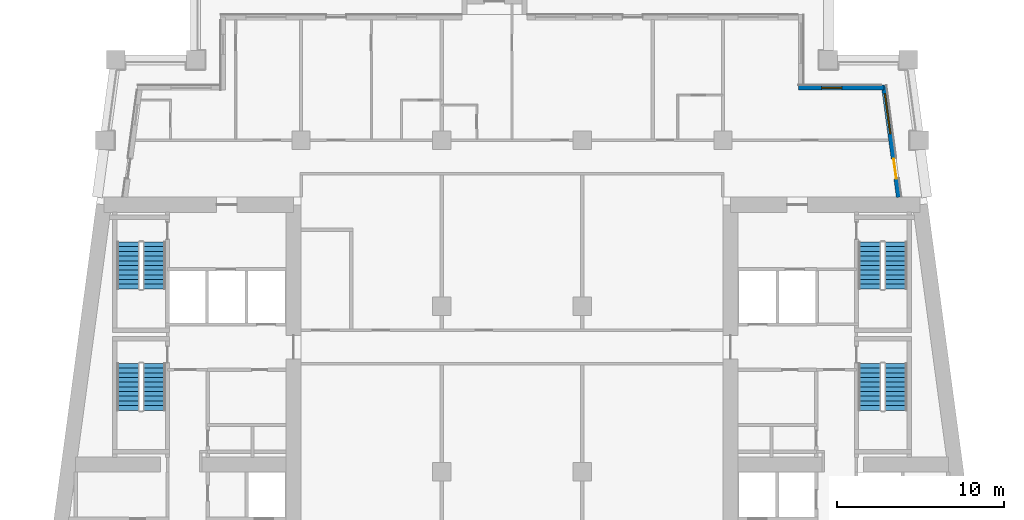
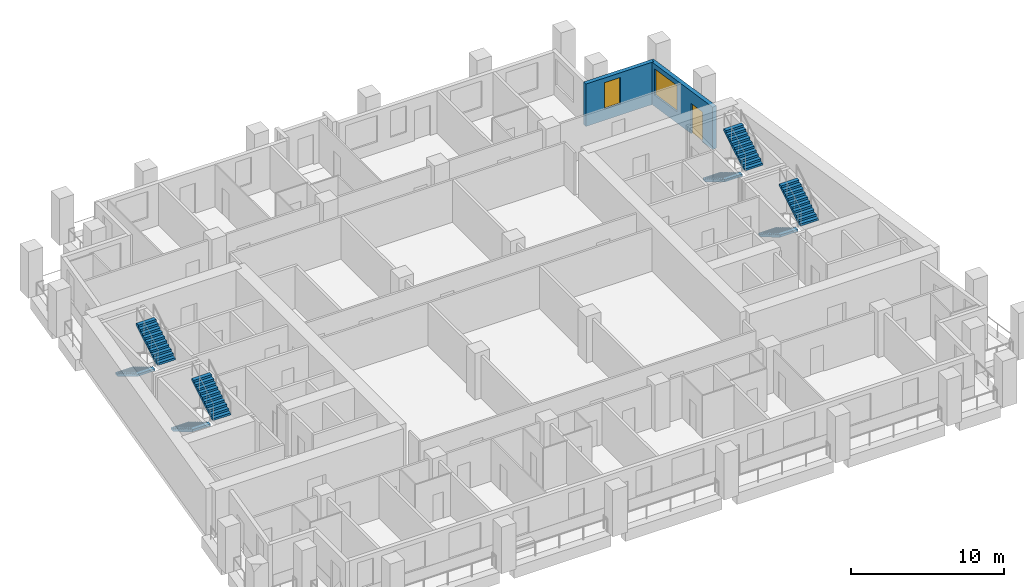
# One storey, part 8 of 13: 8 stair flights, 2 walls, 2 windows, 1 door, 3 openings, 4 elements without a shape of their own.
"""IFC4 building model written with IfcOpenShell, lengths in metres."""

from ifc_helpers import new_model, si_unit, direction, frame, frame_2d, origin, place, context, subcontext, project, spatial, polyline, rectangle, outline, extrude, material, layer, layer_set, type_object, element, fill, aggregate, save


model = new_model("IFC4")

# Units and contexts
model_context = context("Model", 3, precision=1e-05, world=origin(), true_north=direction((0.0, 1.0)))
body_context = subcontext(model_context, "Body", "Model", "MODEL_VIEW")
ifc_project = project(units=[si_unit("LENGTHUNIT", "METRE"), si_unit("AREAUNIT", "SQUARE_METRE"), si_unit("VOLUMEUNIT", "CUBIC_METRE"), si_unit("PLANEANGLEUNIT", "RADIAN"), si_unit("MASSUNIT", "GRAM", prefix="KILO")], contexts=[model_context])

# Site, building, storey
site_placement = place(None, origin())
site = spatial("IfcSite", under=ifc_project, at=site_placement, CompositionType="ELEMENT")
building_placement = place(site_placement, origin())
building = spatial("IfcBuilding", under=site, at=building_placement, Name="Candeia Pilgrim Tower and Theatre", CompositionType="ELEMENT")
storey_placement = place(building_placement, frame((0.0, 0.0, 170.0)))
storey = spatial("IfcBuildingStorey", under=building, at=storey_placement, Name="L40", CompositionType="ELEMENT", Elevation=170.0)

# Wall, openings, door, window
ifc_material_1 = material(Name="Ceramic block masonry", Category="masonry")
ifc_layer = layer(ifc_material_1, 0.300048828125)
ifc_layer_set = layer_set([ifc_layer], Name="EW1 glazing-line wall 300")
wall_type = type_object("IfcWallType", Name="EW1 glazing-line wall 300", PredefinedType="SOLIDWALL", material=ifc_layer_set)
wall_1_placement = place(storey_placement, frame((136.50439453125, 132.39990234375, 0.0), z_axis=(0.0, 0.0, 1.0), x_axis=(-0.133399697462, 0.99106231929, 0.0)))
wall_1 = element("IfcWall", 1, at=wall_1_placement, inside=storey, type_object=wall_type, Name="External wall L40-3.1", PredefinedType="SOLIDWALL", context=body_context, shape_type="SweptSolid", body=[
    extrude(rectangle(XDim=6.740478515625, YDim=0.300048828125, at=frame_2d((3.3701171875, 0.0))), origin(), (0.0, 0.0, 1.0), 3.3798828125),
])
opening_1_placement = place(wall_1_placement, frame((1.115234375, 0.0, 0.0)))
opening_1 = element("IfcOpeningElement", 2, at=opening_1_placement, cuts=wall_1, Name="Opening L40-ED385", PredefinedType="OPENING", context=body_context, shape_type="SweptSolid", body=[
    extrude(rectangle(XDim=1.199951171875, YDim=2.39990234375, at=frame_2d((0.60009765625, 1.199951171875))), frame((0.0, 0.16015625, 0.0), z_axis=(0.0, -1.0, 0.0), x_axis=(1.0, 0.0, 0.0)), (0.0, 0.0, 1.0), 0.320068359375),
])
opening_2_placement = place(wall_1_placement, frame((3.83544921875, 0.0, 0.89990234375)))
opening_2 = element("IfcOpeningElement", 3, at=opening_2_placement, cuts=wall_1, Name="Opening W-A", PredefinedType="OPENING", context=body_context, shape_type="SweptSolid", body=[
    extrude(rectangle(XDim=2.39990234375, YDim=2.10009765625, at=frame_2d((1.199951171875, 1.050048828125))), frame((0.0, 0.16015625, 0.0), z_axis=(0.0, -1.0, 0.0), x_axis=(1.0, 0.0, 0.0)), (0.0, 0.0, 1.0), 0.320068359375),
])
ifc_material_2 = material(Name="Aluminium framed glazed door", Category="aluminium")
door_type = type_object("IfcDoorType", Name="Loggia door 1200x2400", OperationType="DOUBLE_DOOR_SINGLE_SWING", PredefinedType="DOOR", material=ifc_material_2)
door_placement = place(opening_1_placement, origin())
door = element("IfcDoor", 4, at=door_placement, inside=storey, type_object=door_type, Name="Loggia door L40-ED385", OperationType="DOUBLE_DOOR_SINGLE_SWING", OverallHeight=2.39990234375, OverallWidth=1.199951171875, PredefinedType="DOOR", context=body_context, shape_type="SweptSolid", body=[
    extrude(rectangle(XDim=1.199951171875, YDim=2.39990234375, at=frame_2d((0.60009765625, 1.199951171875))), frame((0.0, 0.02490234375, 0.0), z_axis=(0.0, -1.0, 0.0), x_axis=(1.0, 0.0, 0.0)), (0.0, 0.0, 1.0), 0.050048828125),
])
fill(opening_1, door)
ifc_material_3 = material(Name="Aluminium framed double glazing", Category="aluminium")
window_type_1 = type_object("IfcWindowType", Name="W-A window 2400x2100", PartitioningType="DOUBLE_PANEL_VERTICAL", PredefinedType="WINDOW", material=ifc_material_3)
window_1_placement = place(opening_2_placement, origin())
window_1 = element("IfcWindow", 5, at=window_1_placement, inside=storey, type_object=window_type_1, Name="Window W-A L40", OverallHeight=2.10009765625, OverallWidth=2.39990234375, PartitioningType="SINGLE_PANEL", PredefinedType="WINDOW", context=body_context, shape_type="SweptSolid", body=[
    extrude(rectangle(XDim=2.39990234375, YDim=2.10009765625, at=frame_2d((1.199951171875, 1.050048828125))), frame((0.0, 0.030029296875, 0.0), z_axis=(0.0, -1.0, 0.0), x_axis=(1.0, 0.0, 0.0)), (0.0, 0.0, 1.0), 0.06005859375),
])
fill(opening_2, window_1)

# Wall, opening, window
wall_2_placement = place(storey_placement, frame((135.62255859375, 138.949951171875, 0.0), z_axis=(0.0, 0.0, 1.0), x_axis=(-1.0, 0.0, 0.0)))
wall_2 = element("IfcWall", 6, at=wall_2_placement, inside=storey, type_object=wall_type, Name="External wall L40-4.0", PredefinedType="SOLIDWALL", context=body_context, shape_type="SweptSolid", body=[
    extrude(rectangle(XDim=5.12255859375, YDim=0.300048828125, at=frame_2d((2.561279296875, 0.0))), origin(), (0.0, 0.0, 1.0), 3.3798828125),
])
opening_3_placement = place(wall_2_placement, frame((2.522705078125, 0.0, 0.89990234375)))
opening_3 = element("IfcOpeningElement", 7, at=opening_3_placement, cuts=wall_2, Name="Opening W-B", PredefinedType="OPENING", context=body_context, shape_type="SweptSolid", body=[
    extrude(rectangle(XDim=1.199951171875, YDim=2.10009765625, at=frame_2d((0.60009765625, 1.050048828125))), frame((0.0, 0.16015625, 0.0), z_axis=(0.0, -1.0, 0.0), x_axis=(1.0, 0.0, 0.0)), (0.0, 0.0, 1.0), 0.320068359375),
])
window_type_2 = type_object("IfcWindowType", Name="W-B window 1200x2100", PartitioningType="SINGLE_PANEL", PredefinedType="WINDOW", material=ifc_material_3)
window_2_placement = place(opening_3_placement, origin())
window_2 = element("IfcWindow", 8, at=window_2_placement, inside=storey, type_object=window_type_2, Name="Window W-B L40", OverallHeight=2.10009765625, OverallWidth=1.199951171875, PartitioningType="SINGLE_PANEL", PredefinedType="WINDOW", context=body_context, shape_type="SweptSolid", body=[
    extrude(rectangle(XDim=1.199951171875, YDim=2.10009765625, at=frame_2d((0.60009765625, 1.050048828125))), frame((0.0, 0.030029296875, 0.0), z_axis=(0.0, -1.0, 0.0), x_axis=(1.0, 0.0, 0.0)), (0.0, 0.0, 1.0), 0.06005859375),
])
fill(opening_3, window_2)

# Stair, stair flights
ifc_material_4 = material(Name="Concrete C40/50", Category="concrete")
stair_type = type_object("IfcStairType", Name="ST-TWR dog-leg escape stair", PredefinedType="HALF_TURN_STAIR", material=ifc_material_4)
stair_1_placement = place(storey_placement, origin())
stair_1 = element("IfcStair", 9, at=stair_1_placement, inside=storey, type_object=stair_type, Name="L40 Escape stair ST1", PredefinedType="HALF_TURN_STAIR")
stair_flight_type = type_object("IfcStairFlightType", Name="SFL-RC stair flight", PredefinedType="STRAIGHT", material=ifc_material_4)
stair_flight_1_placement = place(storey_placement, frame((90.47705078125, 122.47509765625, 0.0), z_axis=(0.0, 0.0, 1.0), x_axis=(0.0, -1.0, 0.0)))
stair_flight_1 = element("IfcStairFlight", 10, at=stair_flight_1_placement, type_object=stair_flight_type, Name="ST1 flight 1", NumberOfRisers=11, NumberOfTreads=10, PredefinedType="STRAIGHT", RiserHeight=0.168181818, TreadLength=0.28, context=body_context, shape_type="SweptSolid", body=[
    extrude(outline(polyline([(0.0, 0.0), (0.0, 0.168212890625), (0.280029296875, 0.168212890625), (0.280029296875, 0.33642578125), (0.56005859375, 0.33642578125), (0.56005859375, 0.504638671875), (0.840087890625, 0.504638671875), (0.840087890625, 0.672607421875), (1.1201171875, 0.672607421875), (1.1201171875, 0.8408203125), (1.39990234375, 0.8408203125), (1.39990234375, 1.009033203125), (1.679931640625, 1.009033203125), (1.679931640625, 1.17724609375), (1.9599609375, 1.17724609375), (1.9599609375, 1.345458984375), (2.239990234375, 1.345458984375), (2.239990234375, 1.513671875), (2.52001953125, 1.513671875), (2.52001953125, 1.681884765625), (2.800048828125, 1.681884765625), (2.800048828125, 1.85009765625), (2.800048828125, 1.5068359375), (0.291015625, 0.0), (0.0, 0.0)])), frame((0.0, 0.675048828125, 0.0), z_axis=(0.0, -1.0, 0.0), x_axis=(1.0, 0.0, 0.0)), (0.0, 0.0, 1.0), 1.35009765625),
])
stair_flight_2_placement = place(storey_placement, frame((92.027099609375, 119.675048828125, 1.85009765625), z_axis=(0.0, 0.0, 1.0), x_axis=(0.0, 1.0, 0.0)))
stair_flight_2 = element("IfcStairFlight", 11, at=stair_flight_2_placement, type_object=stair_flight_type, Name="ST1 flight 2", NumberOfRisers=11, NumberOfTreads=10, PredefinedType="STRAIGHT", RiserHeight=0.168181818, TreadLength=0.28, context=body_context, shape_type="SweptSolid", body=[
    extrude(outline(polyline([(0.0, 0.0), (0.0, 0.168212890625), (0.280029296875, 0.168212890625), (0.280029296875, 0.33642578125), (0.56005859375, 0.33642578125), (0.56005859375, 0.504638671875), (0.840087890625, 0.504638671875), (0.840087890625, 0.672607421875), (1.1201171875, 0.672607421875), (1.1201171875, 0.8408203125), (1.39990234375, 0.8408203125), (1.39990234375, 1.009033203125), (1.679931640625, 1.009033203125), (1.679931640625, 1.17724609375), (1.9599609375, 1.17724609375), (1.9599609375, 1.345458984375), (2.239990234375, 1.345458984375), (2.239990234375, 1.513671875), (2.52001953125, 1.513671875), (2.52001953125, 1.681884765625), (2.800048828125, 1.681884765625), (2.800048828125, 1.85009765625), (2.800048828125, 1.5068359375), (0.291015625, 0.0), (0.0, 0.0)])), frame((0.0, 0.675048828125, 0.0), z_axis=(0.0, -1.0, 0.0), x_axis=(1.0, 0.0, 0.0)), (0.0, 0.0, 1.0), 1.35009765625),
])
aggregate(stair_1, [stair_flight_1, stair_flight_2])

stair_2_placement = place(storey_placement, origin())
stair_2 = element("IfcStair", 12, at=stair_2_placement, inside=storey, type_object=stair_type, Name="L40 Escape stair ST2", PredefinedType="HALF_TURN_STAIR")
stair_flight_3_placement = place(storey_placement, frame((90.47705078125, 129.72509765625, 0.0), z_axis=(0.0, 0.0, 1.0), x_axis=(0.0, -1.0, 0.0)))
stair_flight_3 = element("IfcStairFlight", 13, at=stair_flight_3_placement, type_object=stair_flight_type, Name="ST2 flight 1", NumberOfRisers=11, NumberOfTreads=10, PredefinedType="STRAIGHT", RiserHeight=0.168181818, TreadLength=0.28, context=body_context, shape_type="SweptSolid", body=[
    extrude(outline(polyline([(0.0, 0.0), (0.0, 0.168212890625), (0.280029296875, 0.168212890625), (0.280029296875, 0.33642578125), (0.56005859375, 0.33642578125), (0.56005859375, 0.504638671875), (0.840087890625, 0.504638671875), (0.840087890625, 0.672607421875), (1.1201171875, 0.672607421875), (1.1201171875, 0.8408203125), (1.39990234375, 0.8408203125), (1.39990234375, 1.009033203125), (1.679931640625, 1.009033203125), (1.679931640625, 1.17724609375), (1.9599609375, 1.17724609375), (1.9599609375, 1.345458984375), (2.239990234375, 1.345458984375), (2.239990234375, 1.513671875), (2.52001953125, 1.513671875), (2.52001953125, 1.681884765625), (2.800048828125, 1.681884765625), (2.800048828125, 1.85009765625), (2.800048828125, 1.5068359375), (0.291015625, 0.0), (0.0, 0.0)])), frame((0.0, 0.675048828125, 0.0), z_axis=(0.0, -1.0, 0.0), x_axis=(1.0, 0.0, 0.0)), (0.0, 0.0, 1.0), 1.35009765625),
])
stair_flight_4_placement = place(storey_placement, frame((92.027099609375, 126.925048828125, 1.85009765625), z_axis=(0.0, 0.0, 1.0), x_axis=(0.0, 1.0, 0.0)))
stair_flight_4 = element("IfcStairFlight", 14, at=stair_flight_4_placement, type_object=stair_flight_type, Name="ST2 flight 2", NumberOfRisers=11, NumberOfTreads=10, PredefinedType="STRAIGHT", RiserHeight=0.168181818, TreadLength=0.28, context=body_context, shape_type="SweptSolid", body=[
    extrude(outline(polyline([(0.0, 0.0), (0.0, 0.168212890625), (0.280029296875, 0.168212890625), (0.280029296875, 0.33642578125), (0.56005859375, 0.33642578125), (0.56005859375, 0.504638671875), (0.840087890625, 0.504638671875), (0.840087890625, 0.672607421875), (1.1201171875, 0.672607421875), (1.1201171875, 0.8408203125), (1.39990234375, 0.8408203125), (1.39990234375, 1.009033203125), (1.679931640625, 1.009033203125), (1.679931640625, 1.17724609375), (1.9599609375, 1.17724609375), (1.9599609375, 1.345458984375), (2.239990234375, 1.345458984375), (2.239990234375, 1.513671875), (2.52001953125, 1.513671875), (2.52001953125, 1.681884765625), (2.800048828125, 1.681884765625), (2.800048828125, 1.85009765625), (2.800048828125, 1.5068359375), (0.291015625, 0.0), (0.0, 0.0)])), frame((0.0, 0.675048828125, 0.0), z_axis=(0.0, -1.0, 0.0), x_axis=(1.0, 0.0, 0.0)), (0.0, 0.0, 1.0), 1.35009765625),
])
aggregate(stair_2, [stair_flight_3, stair_flight_4])

stair_3_placement = place(storey_placement, origin())
stair_3 = element("IfcStair", 15, at=stair_3_placement, inside=storey, type_object=stair_type, Name="L40 Escape stair ST3", PredefinedType="HALF_TURN_STAIR")
stair_flight_5_placement = place(storey_placement, frame((134.77294921875, 122.47509765625, 0.0), z_axis=(0.0, 0.0, 1.0), x_axis=(0.0, -1.0, 0.0)))
stair_flight_5 = element("IfcStairFlight", 16, at=stair_flight_5_placement, type_object=stair_flight_type, Name="ST3 flight 1", NumberOfRisers=11, NumberOfTreads=10, PredefinedType="STRAIGHT", RiserHeight=0.168181818, TreadLength=0.28, context=body_context, shape_type="SweptSolid", body=[
    extrude(outline(polyline([(0.0, 0.0), (0.0, 0.168212890625), (0.280029296875, 0.168212890625), (0.280029296875, 0.33642578125), (0.56005859375, 0.33642578125), (0.56005859375, 0.504638671875), (0.840087890625, 0.504638671875), (0.840087890625, 0.672607421875), (1.1201171875, 0.672607421875), (1.1201171875, 0.8408203125), (1.39990234375, 0.8408203125), (1.39990234375, 1.009033203125), (1.679931640625, 1.009033203125), (1.679931640625, 1.17724609375), (1.9599609375, 1.17724609375), (1.9599609375, 1.345458984375), (2.239990234375, 1.345458984375), (2.239990234375, 1.513671875), (2.52001953125, 1.513671875), (2.52001953125, 1.681884765625), (2.800048828125, 1.681884765625), (2.800048828125, 1.85009765625), (2.800048828125, 1.5068359375), (0.291015625, 0.0), (0.0, 0.0)])), frame((0.0, 0.675048828125, 0.0), z_axis=(0.0, -1.0, 0.0), x_axis=(1.0, 0.0, 0.0)), (0.0, 0.0, 1.0), 1.35009765625),
])
stair_flight_6_placement = place(storey_placement, frame((136.322998046875, 119.675048828125, 1.85009765625), z_axis=(0.0, 0.0, 1.0), x_axis=(0.0, 1.0, 0.0)))
stair_flight_6 = element("IfcStairFlight", 17, at=stair_flight_6_placement, type_object=stair_flight_type, Name="ST3 flight 2", NumberOfRisers=11, NumberOfTreads=10, PredefinedType="STRAIGHT", RiserHeight=0.168181818, TreadLength=0.28, context=body_context, shape_type="SweptSolid", body=[
    extrude(outline(polyline([(0.0, 0.0), (0.0, 0.168212890625), (0.280029296875, 0.168212890625), (0.280029296875, 0.33642578125), (0.56005859375, 0.33642578125), (0.56005859375, 0.504638671875), (0.840087890625, 0.504638671875), (0.840087890625, 0.672607421875), (1.1201171875, 0.672607421875), (1.1201171875, 0.8408203125), (1.39990234375, 0.8408203125), (1.39990234375, 1.009033203125), (1.679931640625, 1.009033203125), (1.679931640625, 1.17724609375), (1.9599609375, 1.17724609375), (1.9599609375, 1.345458984375), (2.239990234375, 1.345458984375), (2.239990234375, 1.513671875), (2.52001953125, 1.513671875), (2.52001953125, 1.681884765625), (2.800048828125, 1.681884765625), (2.800048828125, 1.85009765625), (2.800048828125, 1.5068359375), (0.291015625, 0.0), (0.0, 0.0)])), frame((0.0, 0.675048828125, 0.0), z_axis=(0.0, -1.0, 0.0), x_axis=(1.0, 0.0, 0.0)), (0.0, 0.0, 1.0), 1.35009765625),
])
aggregate(stair_3, [stair_flight_5, stair_flight_6])

stair_4_placement = place(storey_placement, origin())
stair_4 = element("IfcStair", 18, at=stair_4_placement, inside=storey, type_object=stair_type, Name="L40 Escape stair ST4", PredefinedType="HALF_TURN_STAIR")
stair_flight_7_placement = place(storey_placement, frame((134.77294921875, 129.72509765625, 0.0), z_axis=(0.0, 0.0, 1.0), x_axis=(0.0, -1.0, 0.0)))
stair_flight_7 = element("IfcStairFlight", 19, at=stair_flight_7_placement, type_object=stair_flight_type, Name="ST4 flight 1", NumberOfRisers=11, NumberOfTreads=10, PredefinedType="STRAIGHT", RiserHeight=0.168181818, TreadLength=0.28, context=body_context, shape_type="SweptSolid", body=[
    extrude(outline(polyline([(0.0, 0.0), (0.0, 0.168212890625), (0.280029296875, 0.168212890625), (0.280029296875, 0.33642578125), (0.56005859375, 0.33642578125), (0.56005859375, 0.504638671875), (0.840087890625, 0.504638671875), (0.840087890625, 0.672607421875), (1.1201171875, 0.672607421875), (1.1201171875, 0.8408203125), (1.39990234375, 0.8408203125), (1.39990234375, 1.009033203125), (1.679931640625, 1.009033203125), (1.679931640625, 1.17724609375), (1.9599609375, 1.17724609375), (1.9599609375, 1.345458984375), (2.239990234375, 1.345458984375), (2.239990234375, 1.513671875), (2.52001953125, 1.513671875), (2.52001953125, 1.681884765625), (2.800048828125, 1.681884765625), (2.800048828125, 1.85009765625), (2.800048828125, 1.5068359375), (0.291015625, 0.0), (0.0, 0.0)])), frame((0.0, 0.675048828125, 0.0), z_axis=(0.0, -1.0, 0.0), x_axis=(1.0, 0.0, 0.0)), (0.0, 0.0, 1.0), 1.35009765625),
])
stair_flight_8_placement = place(storey_placement, frame((136.322998046875, 126.925048828125, 1.85009765625), z_axis=(0.0, 0.0, 1.0), x_axis=(0.0, 1.0, 0.0)))
stair_flight_8 = element("IfcStairFlight", 20, at=stair_flight_8_placement, type_object=stair_flight_type, Name="ST4 flight 2", NumberOfRisers=11, NumberOfTreads=10, PredefinedType="STRAIGHT", RiserHeight=0.168181818, TreadLength=0.28, context=body_context, shape_type="SweptSolid", body=[
    extrude(outline(polyline([(0.0, 0.0), (0.0, 0.168212890625), (0.280029296875, 0.168212890625), (0.280029296875, 0.33642578125), (0.56005859375, 0.33642578125), (0.56005859375, 0.504638671875), (0.840087890625, 0.504638671875), (0.840087890625, 0.672607421875), (1.1201171875, 0.672607421875), (1.1201171875, 0.8408203125), (1.39990234375, 0.8408203125), (1.39990234375, 1.009033203125), (1.679931640625, 1.009033203125), (1.679931640625, 1.17724609375), (1.9599609375, 1.17724609375), (1.9599609375, 1.345458984375), (2.239990234375, 1.345458984375), (2.239990234375, 1.513671875), (2.52001953125, 1.513671875), (2.52001953125, 1.681884765625), (2.800048828125, 1.681884765625), (2.800048828125, 1.85009765625), (2.800048828125, 1.5068359375), (0.291015625, 0.0), (0.0, 0.0)])), frame((0.0, 0.675048828125, 0.0), z_axis=(0.0, -1.0, 0.0), x_axis=(1.0, 0.0, 0.0)), (0.0, 0.0, 1.0), 1.35009765625),
])
aggregate(stair_4, [stair_flight_7, stair_flight_8])

save(model, "model.ifc")
